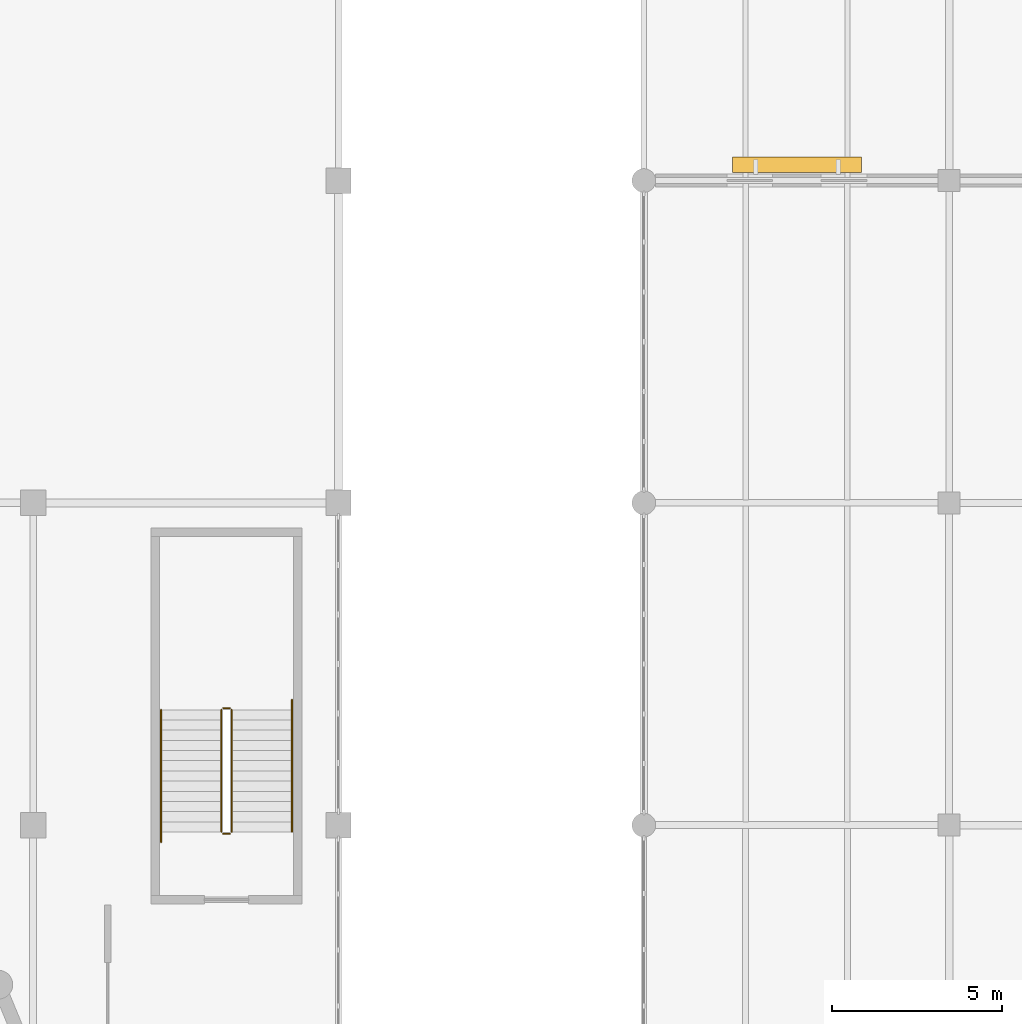
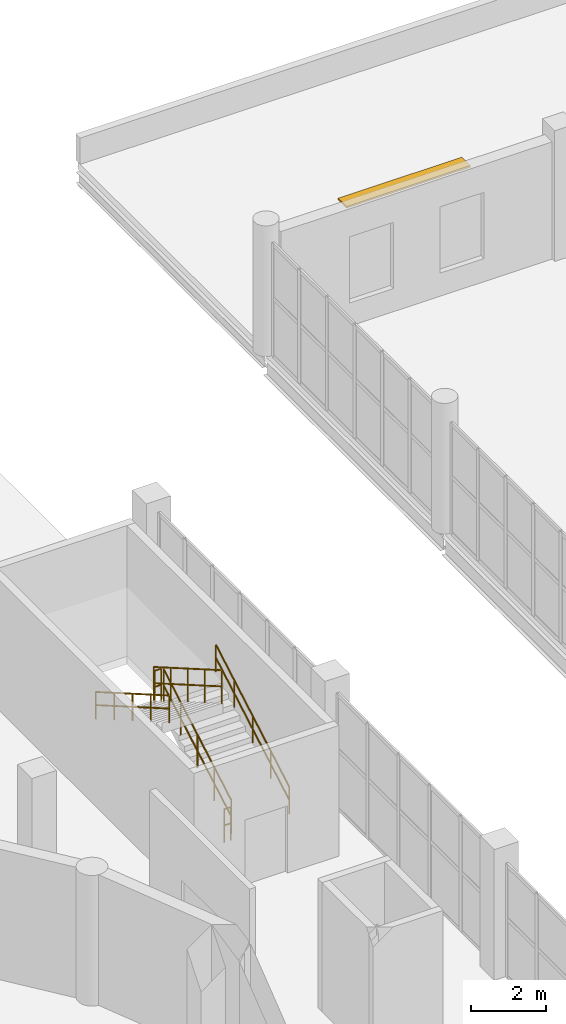
# One storey, part 83 of 85: 6 railings, 1 shading device.
"""IFC4 building model written with IfcOpenShell, lengths in metres."""

from ifc_helpers import new_model, si_unit, direction, frame, origin, origin_2d, place, context, subcontext, project, spatial, rectangle, circle, extrude, material, layer, layer_set, type_object, element, save


model = new_model("IFC4")

# Units and contexts
model_context = context("Model", 3, precision=1e-05, world=origin(), true_north=direction((0.0, 1.0)))
body_context = subcontext(model_context, "Body", "Model", "MODEL_VIEW")
ifc_project = project(units=[si_unit("LENGTHUNIT", "METRE"), si_unit("AREAUNIT", "SQUARE_METRE"), si_unit("VOLUMEUNIT", "CUBIC_METRE"), si_unit("PLANEANGLEUNIT", "RADIAN"), si_unit("MASSUNIT", "GRAM", prefix="KILO")], contexts=[model_context])

# Site, building, storey
site_placement = place(None, origin())
site = spatial("IfcSite", under=ifc_project, at=site_placement, CompositionType="ELEMENT")
building_placement = place(site_placement, origin())
building = spatial("IfcBuilding", under=site, at=building_placement, Name="Marnock Terrace Opera House", CompositionType="ELEMENT")
storey_placement = place(building_placement, frame((0.0, 0.0, 10.199951171875)))
storey = spatial("IfcBuildingStorey", under=building, at=storey_placement, Name="L02", CompositionType="ELEMENT", Elevation=10.199951171875)

# Railings
ifc_material_1 = material(Name="Architectural bronze balustrade")
railing_type_1 = type_object("IfcRailingType", Name="RL-GUARD-1100", PredefinedType="GUARDRAIL", material=ifc_material_1)
railing_1_placement = place(storey_placement, frame((105.85009765625, 74.800048828125, 0.173095703125)))
element("IfcRailing", 1, at=railing_1_placement, inside=storey, type_object=railing_type_1, Name="L02 ST-04 stair guard 1", PredefinedType="GUARDRAIL", context=body_context, shape_type="SweptSolid", body=[
    extrude(circle(Radius=0.02392578125, at=origin_2d()), frame((0.0, 0.0, 1.076171875), z_axis=(0.0, 0.866178740119, 0.499734319579), x_axis=(-1.0, 0.0, 0.0)), (0.0, 0.0, 1.0), 4.156005859375),
    extrude(circle(Radius=0.02392578125, at=origin_2d()), frame((0.0, 0.0, 0.550048828125), z_axis=(0.0, 0.866178740119, 0.499734319579), x_axis=(-1.0, 0.0, 0.0)), (0.0, 0.0, 1.0), 4.156005859375),
    extrude(circle(Radius=0.02099609375, at=origin_2d()), origin(), (0.0, 0.0, 1.0), 1.052001953125),
    extrude(circle(Radius=0.02099609375, at=origin_2d()), frame((0.0, 0.89990234375, 0.519287109375)), (0.0, 0.0, 1.0), 1.052001953125),
    extrude(circle(Radius=0.02099609375, at=origin_2d()), frame((0.0, 1.7998046875, 1.03857421875)), (0.0, 0.0, 1.0), 1.052001953125),
    extrude(circle(Radius=0.02099609375, at=origin_2d()), frame((0.0, 2.699951171875, 1.5576171875)), (0.0, 0.0, 1.0), 1.052001953125),
    extrude(circle(Radius=0.02099609375, at=origin_2d()), frame((0.0, 3.599853515625, 2.076904296875)), (0.0, 0.0, 1.0), 1.052001953125),
])
railing_2_placement = place(storey_placement, frame((105.800048828125, 78.449951171875, 2.25)))
element("IfcRailing", 2, at=railing_2_placement, inside=storey, type_object=railing_type_1, Name="L02 ST-04 stair guard 2", PredefinedType="GUARDRAIL", context=body_context, shape_type="SweptSolid", body=[
    extrude(circle(Radius=0.02392578125, at=origin_2d()), frame((0.0, 0.0, 1.076171875), z_axis=(-1.0, 0.0, 0.0), x_axis=(0.0, -1.0, 0.0)), (0.0, 0.0, 1.0), 0.199951171875),
    extrude(circle(Radius=0.02392578125, at=origin_2d()), frame((0.0, 0.0, 0.550048828125), z_axis=(-1.0, 0.0, 0.0), x_axis=(0.0, -1.0, 0.0)), (0.0, 0.0, 1.0), 0.199951171875),
    extrude(circle(Radius=0.02099609375, at=origin_2d()), origin(), (0.0, 0.0, 1.0), 1.052001953125),
    extrude(circle(Radius=0.02099609375, at=origin_2d()), frame((-0.199951171875, 0.0, 0.0)), (0.0, 0.0, 1.0), 1.052001953125),
])
railing_3_placement = place(storey_placement, frame((105.550048828125, 78.39990234375, 2.423095703125)))
element("IfcRailing", 3, at=railing_3_placement, inside=storey, type_object=railing_type_1, Name="L02 ST-04 stair guard 3", PredefinedType="GUARDRAIL", context=body_context, shape_type="SweptSolid", body=[
    extrude(circle(Radius=0.02392578125, at=origin_2d()), frame((0.0, 0.0, 1.076171875), z_axis=(0.0, -0.866178740119, 0.499734319579), x_axis=(1.0, 0.0, 0.0)), (0.0, 0.0, 1.0), 4.156005859375),
    extrude(circle(Radius=0.02392578125, at=origin_2d()), frame((0.0, 0.0, 0.550048828125), z_axis=(0.0, -0.866178740119, 0.499734319579), x_axis=(1.0, 0.0, 0.0)), (0.0, 0.0, 1.0), 4.156005859375),
    extrude(circle(Radius=0.02099609375, at=origin_2d()), origin(), (0.0, 0.0, 1.0), 1.052001953125),
    extrude(circle(Radius=0.02099609375, at=origin_2d()), frame((0.0, -0.89990234375, 0.519287109375)), (0.0, 0.0, 1.0), 1.052001953125),
    extrude(circle(Radius=0.02099609375, at=origin_2d()), frame((0.0, -1.7998046875, 1.03857421875)), (0.0, 0.0, 1.0), 1.052001953125),
    extrude(circle(Radius=0.02099609375, at=origin_2d()), frame((0.0, -2.699951171875, 1.5576171875)), (0.0, 0.0, 1.0), 1.052001953125),
    extrude(circle(Radius=0.02099609375, at=origin_2d()), frame((0.0, -3.599853515625, 2.076904296875)), (0.0, 0.0, 1.0), 1.052001953125),
])
railing_4_placement = place(storey_placement, frame((105.800048828125, 74.75, 0.0)))
element("IfcRailing", 4, at=railing_4_placement, inside=storey, type_object=railing_type_1, Name="L02 ST-04 stair guard 4", PredefinedType="GUARDRAIL", context=body_context, shape_type="SweptSolid", body=[
    extrude(circle(Radius=0.02392578125, at=origin_2d()), frame((0.0, 0.0, 1.076171875), z_axis=(-1.0, 0.0, 0.0), x_axis=(0.0, -1.0, 0.0)), (0.0, 0.0, 1.0), 0.199951171875),
    extrude(circle(Radius=0.02392578125, at=origin_2d()), frame((0.0, 0.0, 0.550048828125), z_axis=(-1.0, 0.0, 0.0), x_axis=(0.0, -1.0, 0.0)), (0.0, 0.0, 1.0), 0.199951171875),
    extrude(circle(Radius=0.02099609375, at=origin_2d()), origin(), (0.0, 0.0, 1.0), 1.052001953125),
    extrude(circle(Radius=0.02099609375, at=origin_2d()), frame((-0.199951171875, 0.0, 0.0)), (0.0, 0.0, 1.0), 1.052001953125),
])
railing_type_2 = type_object("IfcRailingType", Name="RL-HAND-900", PredefinedType="HANDRAIL", material=ifc_material_1)
railing_5_placement = place(storey_placement, frame((107.6298828125, 74.800048828125, 0.18505859375)))
element("IfcRailing", 5, at=railing_5_placement, inside=storey, type_object=railing_type_2, Name="L02 ST-04 stair handrail 1", PredefinedType="HANDRAIL", context=body_context, shape_type="SweptSolid", body=[
    extrude(circle(Radius=0.02392578125, at=origin_2d()), frame((0.0, 0.0, 0.8759765625), z_axis=(0.0, 0.866180169578, 0.49973184192), x_axis=(-1.0, 0.0, 0.0)), (0.0, 0.0, 1.0), 4.50244140625),
    extrude(circle(Radius=0.02392578125, at=origin_2d()), frame((0.0, 0.0, 0.449951171875), z_axis=(0.0, 0.866180169578, 0.49973184192), x_axis=(-1.0, 0.0, 0.0)), (0.0, 0.0, 1.0), 4.50244140625),
    extrude(circle(Radius=0.02099609375, at=origin_2d()), origin(), (0.0, 0.0, 1.0), 0.851806640625),
    extrude(circle(Radius=0.02099609375, at=origin_2d()), frame((0.0, 0.97509765625, 0.5625)), (0.0, 0.0, 1.0), 0.851806640625),
    extrude(circle(Radius=0.02099609375, at=origin_2d()), frame((0.0, 1.949951171875, 1.125)), (0.0, 0.0, 1.0), 0.851806640625),
    extrude(circle(Radius=0.02099609375, at=origin_2d()), frame((0.0, 2.9248046875, 1.6875)), (0.0, 0.0, 1.0), 0.851806640625),
    extrude(circle(Radius=0.02099609375, at=origin_2d()), frame((0.0, 3.89990234375, 2.25)), (0.0, 0.0, 1.0), 0.851806640625),
])
railing_6_placement = place(storey_placement, frame((103.77001953125, 78.39990234375, 2.43505859375)))
element("IfcRailing", 6, at=railing_6_placement, inside=storey, type_object=railing_type_2, Name="L02 ST-04 stair handrail 2", PredefinedType="HANDRAIL", context=body_context, shape_type="SweptSolid", body=[
    extrude(circle(Radius=0.02392578125, at=origin_2d()), frame((0.0, 0.0, 0.8759765625), z_axis=(0.0, -0.866180169578, 0.49973184192), x_axis=(1.0, 0.0, 0.0)), (0.0, 0.0, 1.0), 4.50244140625),
    extrude(circle(Radius=0.02392578125, at=origin_2d()), frame((0.0, 0.0, 0.449951171875), z_axis=(0.0, -0.866180169578, 0.49973184192), x_axis=(1.0, 0.0, 0.0)), (0.0, 0.0, 1.0), 4.50244140625),
    extrude(circle(Radius=0.02099609375, at=origin_2d()), origin(), (0.0, 0.0, 1.0), 0.851806640625),
    extrude(circle(Radius=0.02099609375, at=origin_2d()), frame((0.0, -0.97509765625, 0.5625)), (0.0, 0.0, 1.0), 0.851806640625),
    extrude(circle(Radius=0.02099609375, at=origin_2d()), frame((0.0, -1.949951171875, 1.125)), (0.0, 0.0, 1.0), 0.851806640625),
    extrude(circle(Radius=0.02099609375, at=origin_2d()), frame((0.0, -2.9248046875, 1.6875)), (0.0, 0.0, 1.0), 0.851806640625),
    extrude(circle(Radius=0.02099609375, at=origin_2d()), frame((0.0, -3.89990234375, 2.25)), (0.0, 0.0, 1.0), 0.851806640625),
])

# Shading device
ifc_material_2 = material(Name="Architectural cast bronze")
ifc_layer = layer(ifc_material_2, 0.054931640625)
ifc_layer_set = layer_set([ifc_layer], Name="Architectural cast bronze")
shading_device_type = type_object("IfcShadingDeviceType", Name="SHD-LOUVRE-3800", PredefinedType="JALOUSIE", material=ifc_layer_set)
shading_device_placement = place(storey_placement, frame((122.512451171875, 94.465087890625, 3.509765625), z_axis=(0.0, 0.0, 1.0), x_axis=(1.0, 0.0, 0.0)))
element("IfcShadingDevice", 7, at=shading_device_placement, inside=storey, type_object=shading_device_type, Name="Adelaide sun-control bronze brise-soleil EW-V5N-L02-1", PredefinedType="JALOUSIE", context=body_context, shape_type="SweptSolid", body=[
    extrude(rectangle(XDim=3.800048828125, YDim=0.449951171875, at=origin_2d()), origin(), (0.0, 0.0, 1.0), 0.054931640625),
])

save(model, "model.ifc")
